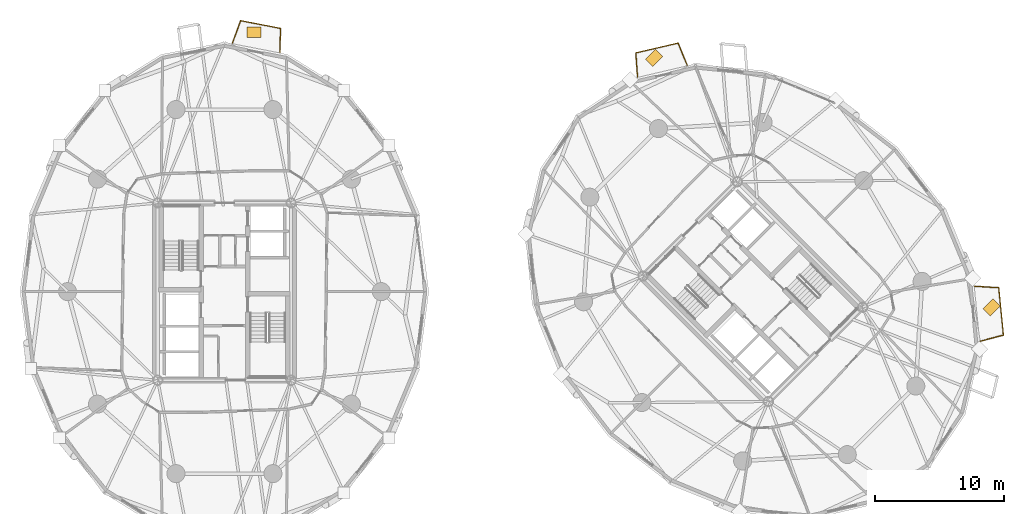
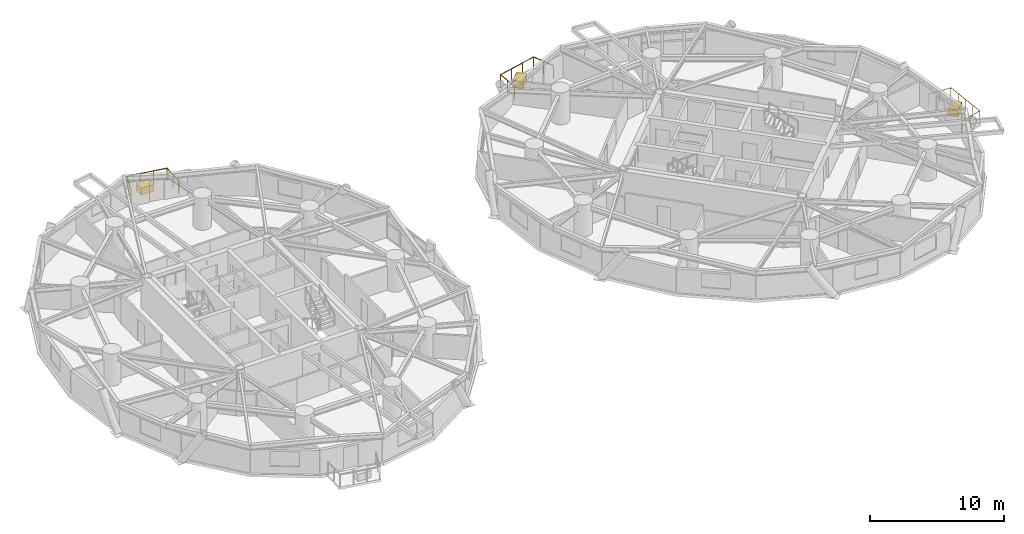
# One storey, part 19 of 19: 3 coverings, 3 railings.
"""IFC4 building model written with IfcOpenShell, lengths in metres."""

from ifc_helpers import new_model, si_unit, direction, frame, origin, origin_2d, place, context, subcontext, project, spatial, rectangle, circle, extrude, source, transform, mapped, material, layer, layer_set, type_object, element, save


model = new_model("IFC4")

# Units and contexts
model_context = context("Model", 3, precision=1e-05, world=origin(), true_north=direction((0.0, 1.0)))
body_context = subcontext(model_context, "Body", "Model", "MODEL_VIEW")
ifc_project = project(units=[si_unit("LENGTHUNIT", "METRE"), si_unit("AREAUNIT", "SQUARE_METRE"), si_unit("VOLUMEUNIT", "CUBIC_METRE"), si_unit("PLANEANGLEUNIT", "RADIAN"), si_unit("MASSUNIT", "GRAM", prefix="KILO")], contexts=[model_context])

# Site, building, storey
site_placement = place(None, origin())
site = spatial("IfcSite", under=ifc_project, at=site_placement, CompositionType="ELEMENT")
building_placement = place(site_placement, origin())
building = spatial("IfcBuilding", under=site, at=building_placement, Name="Cununo Teusaquillo Station Towers", CompositionType="ELEMENT")
storey_placement = place(building_placement, frame((0.0, 0.0, 84.699951171875)))
storey = spatial("IfcBuildingStorey", under=building, at=storey_placement, Name="L26", CompositionType="ELEMENT", Elevation=84.699951171875)

# Railings
ifc_material_1 = material(Name="Anodised dark bronze aluminium EN AW-6063-T6", Category="aluminium")
railing_type = type_object("IfcRailingType", Name="RL-EXT-GUARD", PredefinedType="GUARDRAIL", material=ifc_material_1)
railing_1_placement = place(storey_placement, frame((17.1181640625, 43.771728515625, 0.0)))
element("IfcRailing", 1, at=railing_1_placement, inside=storey, type_object=railing_type, Name="L26 Tower A Balcony Guardrail C04", PredefinedType="GUARDRAIL", context=body_context, shape_type="SweptSolid", body=[
    extrude(circle(Radius=0.02392578125, at=origin_2d()), frame((0.0, 0.0, 1.1259765625), z_axis=(0.343962021681, 0.9389835609, 0.0), x_axis=(-0.9389835609, 0.343962021681, 0.0)), (0.0, 0.0, 1.0), 1.86328125),
    extrude(circle(Radius=0.02392578125, at=origin_2d()), frame((0.640869140625, 1.74951171875, 1.1259765625), z_axis=(0.981834317938, -0.189740275429, 0.0), x_axis=(0.189740275429, 0.981834317938, 0.0)), (0.0, 0.0, 1.0), 3.15380859375),
    extrude(circle(Radius=0.02392578125, at=origin_2d()), frame((3.7373046875, 1.151123046875, 1.1259765625), z_axis=(-0.030662031384, -0.999529809376, 0.0), x_axis=(0.999529809376, -0.030662031384, 0.0)), (0.0, 0.0, 1.0), 1.86328125),
    extrude(circle(Radius=0.02099609375, at=origin_2d()), origin(), (0.0, 0.0, 1.0), 1.101806640625),
    extrude(circle(Radius=0.02099609375, at=origin_2d()), frame((0.3203125, 0.874755859375, 0.0)), (0.0, 0.0, 1.0), 1.101806640625),
    extrude(circle(Radius=0.02099609375, at=origin_2d()), frame((0.640869140625, 1.74951171875, 0.0)), (0.0, 0.0, 1.0), 1.101806640625),
    extrude(circle(Radius=0.02099609375, at=origin_2d()), frame((1.673095703125, 1.550048828125, 0.0)), (0.0, 0.0, 1.0), 1.101806640625),
    extrude(circle(Radius=0.02099609375, at=origin_2d()), frame((2.705078125, 1.3505859375, 0.0)), (0.0, 0.0, 1.0), 1.101806640625),
    extrude(circle(Radius=0.02099609375, at=origin_2d()), frame((3.7373046875, 1.151123046875, 0.0)), (0.0, 0.0, 1.0), 1.101806640625),
    extrude(circle(Radius=0.02099609375, at=origin_2d()), frame((3.708740234375, 0.219970703125, 0.0)), (0.0, 0.0, 1.0), 1.101806640625),
    extrude(circle(Radius=0.02099609375, at=origin_2d()), frame((3.68017578125, -0.711181640625, 0.0)), (0.0, 0.0, 1.0), 1.101806640625),
])
railing_2_placement = place(storey_placement, frame((48.55029296875, 41.15771484375, 0.0)))
element("IfcRailing", 2, at=railing_2_placement, inside=storey, type_object=railing_type, Name="L26 Tower B Balcony Guardrail C03", PredefinedType="GUARDRAIL", context=body_context, shape_type="SweptSolid", body=[
    extrude(circle(Radius=0.02392578125, at=origin_2d()), frame((0.0, 0.0, 1.1259765625), z_axis=(-0.069053440488, 0.997612962204, 0.0), x_axis=(-0.997612962204, -0.069053440488, 0.0)), (0.0, 0.0, 1.0), 1.86669921875),
    extrude(circle(Radius=0.02392578125, at=origin_2d()), frame((-0.12890625, 1.8623046875, 1.1259765625), z_axis=(0.973836929395, 0.227247959168, 0.0), x_axis=(-0.227247959168, 0.973836929395, 0.0)), (0.0, 0.0, 1.0), 3.365966796875),
    extrude(circle(Radius=0.02392578125, at=origin_2d()), frame((3.14892578125, 2.627197265625, 1.1259765625), z_axis=(0.379585063145, -0.925156840669, 0.0), x_axis=(0.925156840669, 0.379585063145, 0.0)), (0.0, 0.0, 1.0), 1.866455078125),
    extrude(circle(Radius=0.02099609375, at=origin_2d()), origin(), (0.0, 0.0, 1.0), 1.101806640625),
    extrude(circle(Radius=0.02099609375, at=origin_2d()), frame((-0.064453125, 0.93115234375, 0.0)), (0.0, 0.0, 1.0), 1.101806640625),
    extrude(circle(Radius=0.02099609375, at=origin_2d()), frame((-0.12890625, 1.8623046875, 0.0)), (0.0, 0.0, 1.0), 1.101806640625),
    extrude(circle(Radius=0.02099609375, at=origin_2d()), frame((0.963623046875, 2.1171875, 0.0)), (0.0, 0.0, 1.0), 1.101806640625),
    extrude(circle(Radius=0.02099609375, at=origin_2d()), frame((2.056396484375, 2.372314453125, 0.0)), (0.0, 0.0, 1.0), 1.101806640625),
    extrude(circle(Radius=0.02099609375, at=origin_2d()), frame((3.14892578125, 2.627197265625, 0.0)), (0.0, 0.0, 1.0), 1.101806640625),
    extrude(circle(Radius=0.02099609375, at=origin_2d()), frame((3.503173828125, 1.763671875, 0.0)), (0.0, 0.0, 1.0), 1.101806640625),
    extrude(circle(Radius=0.02099609375, at=origin_2d()), frame((3.857421875, 0.900390625, 0.0)), (0.0, 0.0, 1.0), 1.101806640625),
])
railing_3_placement = place(storey_placement, frame((74.7138671875, 24.914306640625, 0.0)))
element("IfcRailing", 3, at=railing_3_placement, inside=storey, type_object=railing_type, Name="L26 Tower B Balcony Guardrail C17", PredefinedType="GUARDRAIL", context=body_context, shape_type="SweptSolid", body=[
    extrude(circle(Radius=0.02392578125, at=origin_2d()), frame((0.0, 0.0, 1.1259765625), z_axis=(0.998126483753, -0.061184331575, 0.0), x_axis=(0.061184331575, 0.998126483753, 0.0)), (0.0, 0.0, 1.0), 1.871337890625),
    extrude(circle(Radius=0.02392578125, at=origin_2d()), frame((1.867919921875, -0.114501953125, 1.1259765625), z_axis=(0.098593628704, -0.99512777892, 0.0), x_axis=(0.99512777892, 0.098593628704, 0.0)), (0.0, 0.0, 1.0), 3.692138671875),
    extrude(circle(Radius=0.02392578125, at=origin_2d()), frame((2.23193359375, -3.78857421875, 1.1259765625), z_axis=(-0.966720413281, -0.255835186295, 0.0), x_axis=(0.255835186295, -0.966720413281, 0.0)), (0.0, 0.0, 1.0), 1.871337890625),
    extrude(circle(Radius=0.02099609375, at=origin_2d()), origin(), (0.0, 0.0, 1.0), 1.101806640625),
    extrude(circle(Radius=0.02099609375, at=origin_2d()), frame((0.93408203125, -0.05712890625, 0.0)), (0.0, 0.0, 1.0), 1.101806640625),
    extrude(circle(Radius=0.02099609375, at=origin_2d()), frame((1.867919921875, -0.114501953125, 0.0)), (0.0, 0.0, 1.0), 1.101806640625),
    extrude(circle(Radius=0.02099609375, at=origin_2d()), frame((1.958984375, -1.032958984375, 0.0)), (0.0, 0.0, 1.0), 1.101806640625),
    extrude(circle(Radius=0.02099609375, at=origin_2d()), frame((2.0498046875, -1.95166015625, 0.0)), (0.0, 0.0, 1.0), 1.101806640625),
    extrude(circle(Radius=0.02099609375, at=origin_2d()), frame((2.140869140625, -2.8701171875, 0.0)), (0.0, 0.0, 1.0), 1.101806640625),
    extrude(circle(Radius=0.02099609375, at=origin_2d()), frame((2.23193359375, -3.78857421875, 0.0)), (0.0, 0.0, 1.0), 1.101806640625),
    extrude(circle(Radius=0.02099609375, at=origin_2d()), frame((1.327392578125, -4.02783203125, 0.0)), (0.0, 0.0, 1.0), 1.101806640625),
    extrude(circle(Radius=0.02099609375, at=origin_2d()), frame((0.4228515625, -4.267333984375, 0.0)), (0.0, 0.0, 1.0), 1.101806640625),
])

# Coverings
ifc_material_2 = material(Name="Architectural GRC planter shell and engineered root-zone substrate", Category="concrete")
ifc_layer = layer(ifc_material_2, 0.64990234375)
ifc_layer_set = layer_set([ifc_layer], Name="Architectural GRC planter shell and engineered root-zone substrate")
covering_type = type_object("IfcCoveringType", Name="COV-TREE-PLANTER", PredefinedType="CLADDING", material=ifc_layer_set)
shared_shape = source(origin(), body_context, "Body", "SweptSolid", [
    extrude(rectangle(XDim=1.10009765625, YDim=0.800048828125, at=origin_2d()), origin(), (0.0, 0.0, 1.0), 0.64990234375),
])
for number, where, z_axis, x_axis, name in (
    (4, (18.7978515625, 44.614501953125, 0.0), (0.0, 0.0, 1.0), (1.0, 0.0, 0.0), "L26 Tower A Balcony Tree PLANTER C04"),
    (5, (49.84326171875, 42.63818359375, 0.0), (0.0, 0.0, 1.0), (0.707106781187, 0.707106781187, 0.0), "L26 Tower B Balcony Tree PLANTER C03"),
    (6, (76.031494140625, 23.277099609375, 0.0), (0.0, 0.0, 1.0), (0.707106781187, 0.707106781187, 0.0), "L26 Tower B Balcony Tree PLANTER C17"),
):
    element("IfcCovering", number, at=place(storey_placement, frame(where, z_axis=z_axis, x_axis=x_axis)), inside=storey, type_object=covering_type, Name=name, PredefinedType="CLADDING", context=body_context, shape_type="MappedRepresentation", body=[
        mapped(shared_shape, transform((0.0, 0.0, 0.0), x_axis=(1.0, 0.0, 0.0), y_axis=(0.0, 1.0, 0.0), z_axis=(0.0, 0.0, 1.0), scale=1.0)),
    ])

save(model, "model.ifc")
